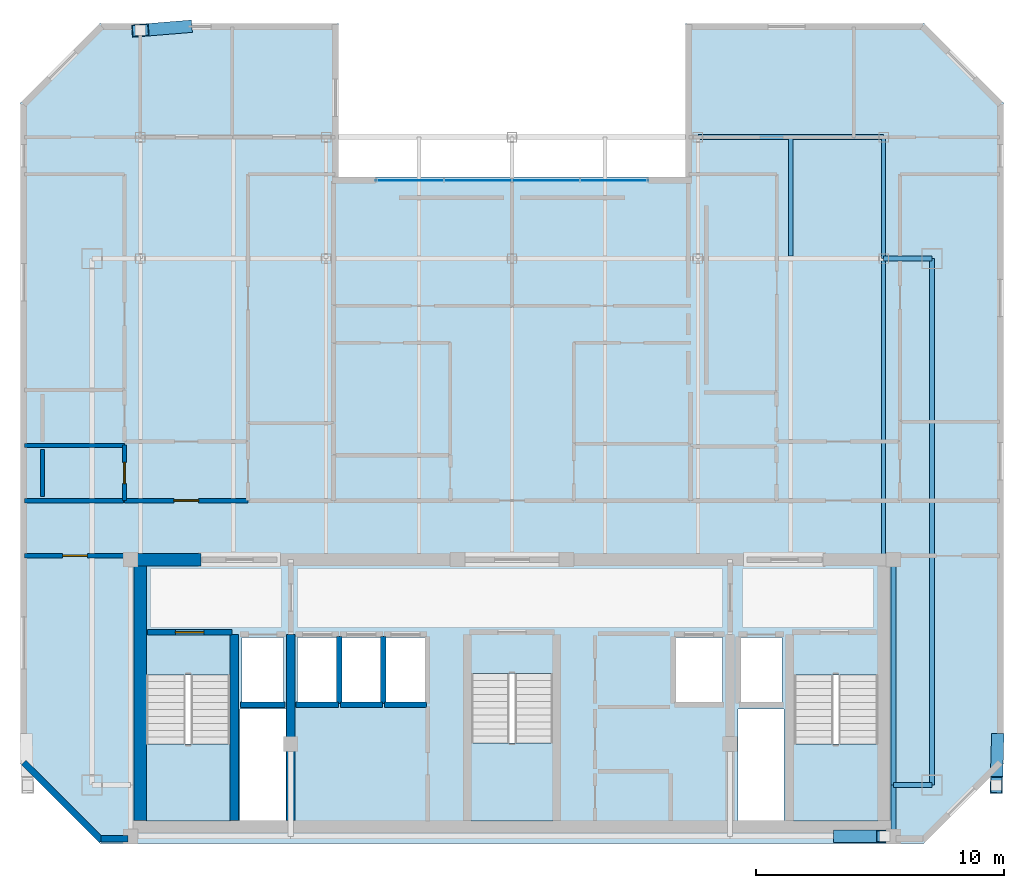
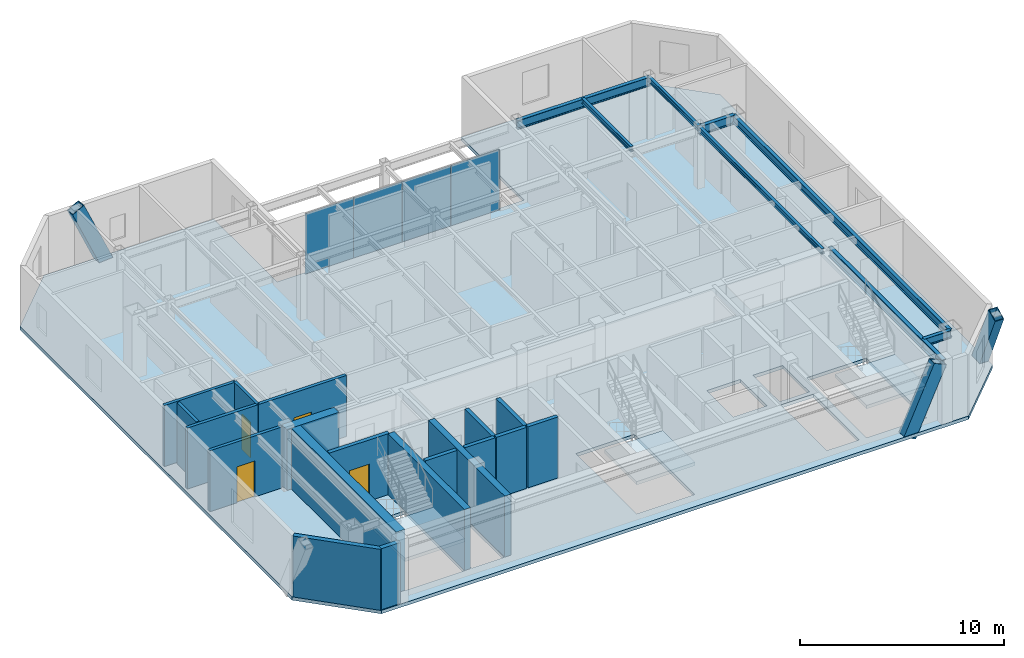
# One storey, part 5 of 10: 19 walls, 9 beams, 4 doors, 4 plates, 4 slabs, 3 members, 4 openings, 4 elements without a shape of their own.
"""IFC4 building model written with IfcOpenShell, lengths in metres."""

from ifc_helpers import new_model, si_unit, direction, frame, frame_2d, origin, origin_2d, place, context, subcontext, project, spatial, polyline, rectangle, hollow_rectangle, i_section, outline, extrude, material, layer, layer_set, material_profile, profile_set, type_object, element, fill, aggregate, save


model = new_model("IFC4")

# Units and contexts
model_context = context("Model", 3, precision=1e-05, world=origin(), true_north=direction((0.0, 1.0)))
body_context = subcontext(model_context, "Body", "Model", "MODEL_VIEW")
ifc_project = project(units=[si_unit("LENGTHUNIT", "METRE"), si_unit("AREAUNIT", "SQUARE_METRE"), si_unit("VOLUMEUNIT", "CUBIC_METRE"), si_unit("PLANEANGLEUNIT", "RADIAN"), si_unit("MASSUNIT", "GRAM", prefix="KILO")], contexts=[model_context])

# Site, building, storey
site_placement = place(None, origin())
site = spatial("IfcSite", under=ifc_project, at=site_placement, CompositionType="ELEMENT")
building_placement = place(site_placement, origin())
building = spatial("IfcBuilding", under=site, at=building_placement, Name="Ventersveld Concourse Tower", CompositionType="ELEMENT")
storey_placement = place(building_placement, frame((0.0, 0.0, 313.050048828125)))
storey = spatial("IfcBuildingStorey", under=building, at=storey_placement, Name="L77", CompositionType="ELEMENT", Elevation=313.050048828125)

# Beams
ifc_material_1 = material(Name="Structural steel S355J2", Category="steel")
ifc_material_profile_1 = material_profile(ifc_material_1, i_section(OverallWidth=0.1650390625, OverallDepth=0.303466796875, WebThickness=0.006103515625, FlangeThickness=0.01025390625, FilletRadius=0.0087890625, at=origin_2d()), Name="UB 305x165x40")
ifc_profile_set_1 = profile_set([ifc_material_profile_1], Name="Structural steel S355J2")
beam_type_1 = type_object("IfcBeamType", Name="BM-UB305", PredefinedType="BEAM", material=ifc_profile_set_1)
beam_1_placement = place(storey_placement, frame((40.0, 23.695068359375, 3.498291015625), z_axis=(0.0, 1.0, 0.0), x_axis=(-1.0, 0.0, 0.0)))
element("IfcBeam", 1, at=beam_1_placement, inside=storey, type_object=beam_type_1, Name="L77 N-S Upper-Zone Floor Beam X=40.00", PredefinedType="BEAM", context=body_context, shape_type="SweptSolid", body=[
    extrude(i_section(OverallWidth=0.1650390625, OverallDepth=0.303466796875, WebThickness=0.006103515625, FlangeThickness=0.01025390625, FilletRadius=0.0087890625, at=origin_2d()), origin(), (0.0, 0.0, 1.0), 4.804931640625),
])
beam_2_placement = place(storey_placement, frame((43.75, 11.449951171875, 3.498291015625), z_axis=(0.0, 1.0, 0.0), x_axis=(-1.0, 0.0, 0.0)))
element("IfcBeam", 2, at=beam_2_placement, inside=storey, type_object=beam_type_1, Name="L77 N-S Composite Floor Beam South X=43.75", PredefinedType="BEAM", context=body_context, shape_type="SweptSolid", body=[
    extrude(i_section(OverallWidth=0.1650390625, OverallDepth=0.303466796875, WebThickness=0.006103515625, FlangeThickness=0.01025390625, FilletRadius=0.0087890625, at=origin_2d()), origin(), (0.0, 0.0, 1.0), 12.150146484375),
])
beam_3_placement = place(storey_placement, frame((43.75, 23.60009765625, 3.498291015625), z_axis=(0.0, 1.0, 0.0), x_axis=(-1.0, 0.0, 0.0)))
element("IfcBeam", 3, at=beam_3_placement, inside=storey, type_object=beam_type_1, Name="L77 N-S Upper-Zone Floor Beam X=43.75", PredefinedType="BEAM", context=body_context, shape_type="SweptSolid", body=[
    extrude(i_section(OverallWidth=0.1650390625, OverallDepth=0.303466796875, WebThickness=0.006103515625, FlangeThickness=0.01025390625, FilletRadius=0.0087890625, at=origin_2d()), origin(), (0.0, 0.0, 1.0), 4.89990234375),
])
ifc_material_profile_2 = material_profile(ifc_material_1, i_section(OverallWidth=0.209228515625, OverallDepth=0.533203125, WebThickness=0.010009765625, FlangeThickness=0.015625, FilletRadius=0.0126953125, at=origin_2d()), Name="UB 533x210x92")
ifc_profile_set_2 = profile_set([ifc_material_profile_2], Name="Structural steel S355J2")
beam_type_2 = type_object("IfcBeamType", Name="GRD-UB533", PredefinedType="T_BEAM", material=ifc_profile_set_2)
beam_4_placement = place(storey_placement, frame((43.75, 23.60009765625, 3.38330078125), z_axis=(1.0, 0.0, 0.0), x_axis=(0.0, 1.0, 0.0)))
element("IfcBeam", 4, at=beam_4_placement, inside=storey, type_object=beam_type_2, Name="L77 Primary E-W Grid Girder Y=23.60 #6", PredefinedType="T_BEAM", context=body_context, shape_type="SweptSolid", body=[
    extrude(i_section(OverallWidth=0.209228515625, OverallDepth=0.533203125, WebThickness=0.010009765625, FlangeThickness=0.015625, FilletRadius=0.0126953125, at=origin_2d()), origin(), (0.0, 0.0, 1.0), 1.949951171875),
])
beam_5_placement = place(storey_placement, frame((36.25, 28.5, 3.38330078125), z_axis=(1.0, 0.0, 0.0), x_axis=(0.0, 1.0, 0.0)))
element("IfcBeam", 5, at=beam_5_placement, inside=storey, type_object=beam_type_2, Name="L77 Upper-North E-W Girder Y=28.50 #4", PredefinedType="T_BEAM", context=body_context, shape_type="SweptSolid", body=[
    extrude(i_section(OverallWidth=0.209228515625, OverallDepth=0.533203125, WebThickness=0.010009765625, FlangeThickness=0.015625, FilletRadius=0.0126953125, at=origin_2d()), origin(), (0.0, 0.0, 1.0), 7.5),
])
ifc_material_profile_3 = material_profile(ifc_material_1, i_section(OverallWidth=0.2119140625, OverallDepth=0.54443359375, WebThickness=0.0126953125, FlangeThickness=0.021240234375, FilletRadius=0.0126953125, at=origin_2d()), Name="UB 533x210x122")
ifc_profile_set_3 = profile_set([ifc_material_profile_3], Name="Structural steel S355J2")
beam_type_3 = type_object("IfcBeamType", Name="GRD-UB533H", PredefinedType="T_BEAM", material=ifc_profile_set_3)
beam_6_placement = place(storey_placement, frame((44.14990234375, 0.280029296875, 3.377685546875), z_axis=(0.0, 1.0, 0.0), x_axis=(-1.0, 0.0, 0.0)))
element("IfcBeam", 6, at=beam_6_placement, inside=storey, type_object=beam_type_3, Name="L77 Core East Tie Beam S", PredefinedType="T_BEAM", context=body_context, shape_type="SweptSolid", body=[
    extrude(i_section(OverallWidth=0.2119140625, OverallDepth=0.54443359375, WebThickness=0.0126953125, FlangeThickness=0.021240234375, FilletRadius=0.0126953125, at=origin_2d()), origin(), (0.0, 0.0, 1.0), 2.070068359375),
])
beam_7_placement = place(storey_placement, frame((44.14990234375, 2.35009765625, 3.377685546875), z_axis=(0.0, 1.0, 0.0), x_axis=(-1.0, 0.0, 0.0)))
element("IfcBeam", 7, at=beam_7_placement, inside=storey, type_object=beam_type_3, Name="L77 Core East Tie Beam N", PredefinedType="T_BEAM", context=body_context, shape_type="SweptSolid", body=[
    extrude(i_section(OverallWidth=0.2119140625, OverallDepth=0.54443359375, WebThickness=0.0126953125, FlangeThickness=0.021240234375, FilletRadius=0.0126953125, at=origin_2d()), origin(), (0.0, 0.0, 1.0), 9.099853515625),
])

# Members
ifc_material_2 = material(Name="Structural steel S355ML", Category="steel")
ifc_material_profile_4 = material_profile(ifc_material_2, hollow_rectangle(XDim=0.5, YDim=0.75, WallThickness=0.034912109375, at=origin_2d()), Name="BOX 750x500x35")
ifc_profile_set_4 = profile_set([ifc_material_profile_4], Name="Structural steel S355ML")
member_type = type_object("IfcMemberType", Name="MB-750x500", PredefinedType="BRACE", material=ifc_profile_set_4)
member_1_placement = place(storey_placement, frame((15.489501953125, 32.95068359375, -0.199951171875), z_axis=(-0.411519584117, -0.033845680883, 0.910772255711), x_axis=(0.081968848657, -0.996634891949, 0.0)))
element("IfcMember", 8, at=member_1_placement, inside=storey, type_object=member_type, Name="L77 Exterior Mega-Brace N (Module M18)", PredefinedType="BRACE", context=body_context, shape_type="SweptSolid", body=[
    extrude(hollow_rectangle(XDim=0.5, YDim=0.75, WallThickness=0.034912109375, at=origin_2d()), origin(), (0.0, 0.0, 1.0), 4.22705078125),
])
member_2_placement = place(storey_placement, frame((42.060546875, 0.280029296875, -0.199951171875), z_axis=(0.411755490853, 0.0, 0.911294362844), x_axis=(0.0, 1.0, 0.0)))
element("IfcMember", 9, at=member_2_placement, inside=storey, type_object=member_type, Name="L77 Exterior Mega-Brace S (Module M18)", PredefinedType="BRACE", context=body_context, shape_type="SweptSolid", body=[
    extrude(hollow_rectangle(XDim=0.5, YDim=0.75, WallThickness=0.034912109375, at=origin_2d()), origin(), (0.0, 0.0, 1.0), 4.224609375),
])
member_3_placement = place(storey_placement, frame((48.34765625, 4.089599609375, -0.199951171875), z_axis=(-0.011730612407, -0.411727159605, 0.911231660324), x_axis=(0.999594371896, -0.028479671227, 0.0)))
element("IfcMember", 10, at=member_3_placement, inside=storey, type_object=member_type, Name="L77 Exterior Mega-Brace E (Module M18)", PredefinedType="BRACE", context=body_context, shape_type="SweptSolid", body=[
    extrude(hollow_rectangle(XDim=0.5, YDim=0.75, WallThickness=0.034912109375, at=origin_2d()), origin(), (0.0, 0.0, 1.0), 4.224853515625),
])

# Beams
ifc_material_profile_5 = material_profile(ifc_material_1, i_section(OverallWidth=0.19140625, OverallDepth=0.4599609375, WebThickness=0.010009765625, FlangeThickness=0.01611328125, FilletRadius=0.01025390625, at=origin_2d()), Name="UB 457x191x82")
ifc_profile_set_5 = profile_set([ifc_material_profile_5], Name="Structural steel S355J2")
beam_type_4 = type_object("IfcBeamType", Name="SPD-UB457", PredefinedType="SPANDREL", material=ifc_profile_set_5)
beam_8_placement = place(storey_placement, frame((44.14990234375, 2.35009765625, 3.419921875), z_axis=(1.0, 0.0, 0.0), x_axis=(0.0, 1.0, 0.0)))
element("IfcBeam", 11, at=beam_8_placement, inside=storey, type_object=beam_type_4, Name="L77 SE Spandrel Beam", PredefinedType="SPANDREL", context=body_context, shape_type="SweptSolid", body=[
    extrude(i_section(OverallWidth=0.19140625, OverallDepth=0.4599609375, WebThickness=0.010009765625, FlangeThickness=0.01611328125, FilletRadius=0.01025390625, at=origin_2d()), origin(), (0.0, 0.0, 1.0), 1.550048828125),
])
beam_9_placement = place(storey_placement, frame((45.699951171875, 2.35009765625, 3.419921875), z_axis=(0.0, 1.0, 0.0), x_axis=(-1.0, 0.0, 0.0)))
element("IfcBeam", 12, at=beam_9_placement, inside=storey, type_object=beam_type_4, Name="L77 East Spandrel Beam", PredefinedType="SPANDREL", context=body_context, shape_type="SweptSolid", body=[
    extrude(i_section(OverallWidth=0.19140625, OverallDepth=0.4599609375, WebThickness=0.010009765625, FlangeThickness=0.01611328125, FilletRadius=0.01025390625, at=origin_2d()), origin(), (0.0, 0.0, 1.0), 21.25),
])

# Curtain wall, plates
ifc_material_3 = material(Name="Anodised aluminium EN AW-6063-T6", Category="aluminium")
curtain_wall_type = type_object("IfcCurtainWallType", Name="CW-SG-4", PredefinedType="NOTDEFINED", material=ifc_material_3)
curtain_wall_placement = place(storey_placement, origin())
curtain_wall = element("IfcCurtainWall", 13, at=curtain_wall_placement, inside=storey, type_object=curtain_wall_type, Name="L77 L77 Sky Garden Recessed Curtain Wall", PredefinedType="NOTDEFINED")
ifc_material_4 = material(Name="Low-E double glazing IGU", Category="glass")
ifc_layer_1 = layer(ifc_material_4, 0.02392578125)
ifc_layer_set_1 = layer_set([ifc_layer_1], Name="Low-E double glazing IGU")
plate_type = type_object("IfcPlateType", Name="CWP-GLZ-24", PredefinedType="CURTAIN_PANEL", material=ifc_layer_set_1)
plate_1_placement = place(storey_placement, frame((24.625, 26.757568359375, 0.02001953125), z_axis=(0.0, 0.0, 1.0), x_axis=(1.0, 0.0, 0.0)))
plate_1 = element("IfcPlate", 14, at=plate_1_placement, type_object=plate_type, Name="CW-L77-SG Glazed Panel 01-1", PredefinedType="CURTAIN_PANEL", context=body_context, shape_type="SweptSolid", body=[
    extrude(rectangle(XDim=2.739990234375, YDim=0.02392578125, at=origin_2d()), origin(), (0.0, 0.0, 1.0), 3.610107421875),
])
plate_2_placement = place(storey_placement, frame((27.375, 26.757568359375, 0.02001953125), z_axis=(0.0, 0.0, 1.0), x_axis=(1.0, 0.0, 0.0)))
plate_2 = element("IfcPlate", 15, at=plate_2_placement, type_object=plate_type, Name="CW-L77-SG Glazed Panel 02-1", PredefinedType="CURTAIN_PANEL", context=body_context, shape_type="SweptSolid", body=[
    extrude(rectangle(XDim=2.739990234375, YDim=0.02392578125, at=origin_2d()), origin(), (0.0, 0.0, 1.0), 3.610107421875),
])
plate_3_placement = place(storey_placement, frame((30.125, 26.757568359375, 0.02001953125), z_axis=(0.0, 0.0, 1.0), x_axis=(1.0, 0.0, 0.0)))
plate_3 = element("IfcPlate", 16, at=plate_3_placement, type_object=plate_type, Name="CW-L77-SG Glazed Panel 03-1", PredefinedType="CURTAIN_PANEL", context=body_context, shape_type="SweptSolid", body=[
    extrude(rectangle(XDim=2.739990234375, YDim=0.02392578125, at=origin_2d()), origin(), (0.0, 0.0, 1.0), 3.610107421875),
])
plate_4_placement = place(storey_placement, frame((32.875, 26.757568359375, 0.02001953125), z_axis=(0.0, 0.0, 1.0), x_axis=(1.0, 0.0, 0.0)))
plate_4 = element("IfcPlate", 17, at=plate_4_placement, type_object=plate_type, Name="CW-L77-SG Glazed Panel 04-1", PredefinedType="CURTAIN_PANEL", context=body_context, shape_type="SweptSolid", body=[
    extrude(rectangle(XDim=2.739990234375, YDim=0.02392578125, at=origin_2d()), origin(), (0.0, 0.0, 1.0), 3.610107421875),
])
aggregate(curtain_wall, [plate_1, plate_2, plate_3, plate_4])

# Slab
ifc_material_5 = material(Name="Concrete C50/60", Category="concrete")
ifc_layer_2 = layer(ifc_material_5, 0.199951171875)
ifc_layer_set_2 = layer_set([ifc_layer_2], Name="Concrete C50/60")
slab_type_1 = type_object("IfcSlabType", Name="SL-FLR-200", PredefinedType="FLOOR", material=ifc_layer_set_2)
slab_1_placement = place(storey_placement, frame((0.0, 0.0, -0.199951171875)))
element("IfcSlab", 18, at=slab_1_placement, inside=storey, type_object=slab_type_1, Name="L77 Composite Floor Slab", PredefinedType="FLOOR", context=body_context, shape_type="SweptSolid", body=[
    extrude(outline(polyline([(12.121826171875, 0.0), (45.378173828125, 0.0), (48.578125, 3.199951171875), (48.578125, 29.887451171875), (45.378173828125, 33.08740234375), (35.75, 33.08740234375), (35.75, 26.887451171875), (21.75, 26.887451171875), (21.75, 33.08740234375), (12.121826171875, 33.08740234375), (8.921875, 29.887451171875), (8.921875, 3.199951171875), (12.121826171875, 0.0)]), holes=[polyline([(13.97998046875, 6.794921875), (13.97998046875, 0.89990234375), (17.3798828125, 0.89990234375), (17.3798828125, 6.794921875), (13.97998046875, 6.794921875)]), polyline([(40.1201171875, 6.794921875), (40.1201171875, 0.89990234375), (43.52001953125, 0.89990234375), (43.52001953125, 6.794921875), (40.1201171875, 6.794921875)]), polyline([(27.10009765625, 6.844970703125), (27.10009765625, 0.89990234375), (30.39990234375, 0.89990234375), (30.39990234375, 6.844970703125), (27.10009765625, 6.844970703125)]), polyline([(17.85009765625, 5.699951171875), (19.530029296875, 5.699951171875), (19.530029296875, 8.300048828125), (17.85009765625, 8.300048828125), (17.85009765625, 5.699951171875)]), polyline([(37.969970703125, 5.699951171875), (39.64990234375, 5.699951171875), (39.64990234375, 8.300048828125), (37.969970703125, 8.300048828125), (37.969970703125, 5.699951171875)]), polyline([(35.35009765625, 5.699951171875), (37.25, 5.699951171875), (37.25, 8.300048828125), (35.35009765625, 8.300048828125), (35.35009765625, 5.699951171875)]), polyline([(20.090087890625, 5.699951171875), (21.68994140625, 5.699951171875), (21.68994140625, 8.300048828125), (20.090087890625, 8.300048828125), (20.090087890625, 5.699951171875)]), polyline([(21.8701171875, 5.699951171875), (23.469970703125, 5.699951171875), (23.469970703125, 8.300048828125), (21.8701171875, 8.300048828125), (21.8701171875, 5.699951171875)]), polyline([(23.64990234375, 5.699951171875), (25.25, 5.699951171875), (25.25, 8.300048828125), (23.64990234375, 8.300048828125), (23.64990234375, 5.699951171875)]), polyline([(17.780029296875, 0.919921875), (19.6201171875, 0.919921875), (19.6201171875, 5.419921875), (17.780029296875, 5.419921875), (17.780029296875, 0.919921875)]), polyline([(37.8798828125, 0.919921875), (39.719970703125, 0.919921875), (39.719970703125, 5.419921875), (37.8798828125, 5.419921875), (37.8798828125, 0.919921875)])]), origin(), (0.0, 0.0, 1.0), 0.199951171875),
])

# Stair, slab
stair_type_1 = type_object("IfcStairType", Name="ST-DOG-160", PredefinedType="HALF_TURN_STAIR", material=ifc_material_5)
stair_1_placement = place(storey_placement, origin())
stair_1 = element("IfcStair", 19, at=stair_1_placement, inside=storey, type_object=stair_type_1, Name="L77 Protected Tower Escape Stair ST-01", PredefinedType="HALF_TURN_STAIR")
ifc_layer_3 = layer(ifc_material_5, 0.199951171875)
ifc_layer_set_3 = layer_set([ifc_layer_3], Name="Concrete C50/60")
slab_type_2 = type_object("IfcSlabType", Name="SL-LND-200", PredefinedType="LANDING", material=ifc_layer_set_3)
slab_2_placement = place(storey_placement, frame((0.0, 0.0, 1.724853515625)))
slab_2 = element("IfcSlab", 20, at=slab_2_placement, type_object=slab_type_2, Name="ST-01 landing 1", PredefinedType="LANDING", context=body_context, shape_type="SweptSolid", body=[
    extrude(outline(polyline([(13.97998046875, 4.0), (13.97998046875, 0.89990234375), (17.3798828125, 0.89990234375), (17.3798828125, 4.0), (13.97998046875, 4.0)])), origin(), (0.0, 0.0, 1.0), 0.2001953125),
])
aggregate(stair_1, [slab_2])

stair_2_placement = place(storey_placement, origin())
stair_2 = element("IfcStair", 21, at=stair_2_placement, inside=storey, type_object=stair_type_1, Name="L77 Protected Tower Escape Stair ST-02", PredefinedType="HALF_TURN_STAIR")
slab_3_placement = place(storey_placement, frame((0.0, 0.0, 1.724853515625)))
slab_3 = element("IfcSlab", 22, at=slab_3_placement, type_object=slab_type_2, Name="ST-02 landing 1", PredefinedType="LANDING", context=body_context, shape_type="SweptSolid", body=[
    extrude(outline(polyline([(40.1201171875, 4.0), (40.1201171875, 0.89990234375), (43.52001953125, 0.89990234375), (43.52001953125, 4.0), (40.1201171875, 4.0)])), origin(), (0.0, 0.0, 1.0), 0.2001953125),
])
aggregate(stair_2, [slab_3])

stair_type_2 = type_object("IfcStairType", Name="ST-DOG-155", PredefinedType="HALF_TURN_STAIR", material=ifc_material_5)
stair_3_placement = place(storey_placement, origin())
stair_3 = element("IfcStair", 23, at=stair_3_placement, inside=storey, type_object=stair_type_2, Name="L77 Protected Central Core Escape Stair ST-03", PredefinedType="HALF_TURN_STAIR")
slab_4_placement = place(storey_placement, frame((0.0, 0.0, 1.724853515625)))
slab_4 = element("IfcSlab", 24, at=slab_4_placement, type_object=slab_type_2, Name="ST-03 landing 1", PredefinedType="LANDING", context=body_context, shape_type="SweptSolid", body=[
    extrude(outline(polyline([(27.10009765625, 4.050048828125), (27.10009765625, 0.89990234375), (30.39990234375, 0.89990234375), (30.39990234375, 4.050048828125), (27.10009765625, 4.050048828125)])), origin(), (0.0, 0.0, 1.0), 0.2001953125),
])
aggregate(stair_3, [slab_4])

# Walls
ifc_layer_4 = layer(ifc_material_5, 0.35009765625)
ifc_layer_set_4 = layer_set([ifc_layer_4], Name="Concrete C50/60")
wall_type_1 = type_object("IfcWallType", Name="WL-CORE-350U", PredefinedType="SHEAR", material=ifc_layer_set_4)
for number, where, z_axis, x_axis, name in (
    (25, (17.5400390625, 0.919921875, 0.0), (0.0, 0.0, 1.0), (0.0, 1.0, 0.0), "L77 Core Internal Shear Web W-ST1-E"),
    (26, (19.820068359375, 0.919921875, 0.0), (0.0, 0.0, 1.0), (0.0, 1.0, 0.0), "L77 Core Internal Shear Web W-FF1-E"),
):
    element("IfcWall", number, at=place(storey_placement, frame(where, z_axis=z_axis, x_axis=x_axis)), inside=storey, type_object=wall_type_1, Name=name, PredefinedType="SHEAR", context=body_context, shape_type="SweptSolid", body=[
        extrude(rectangle(XDim=7.5, YDim=0.35009765625, at=frame_2d((3.75, 0.0))), origin(), (0.0, 0.0, 1.0), 3.64990234375),
    ])
ifc_layer_5 = layer(ifc_material_5, 0.5)
ifc_layer_set_5 = layer_set([ifc_layer_5], Name="Concrete C50/60")
wall_type_2 = type_object("IfcWallType", Name="WL-CORE-500", PredefinedType="SHEAR", material=ifc_layer_set_5)
wall_1_placement = place(storey_placement, frame((13.75, 0.919921875, 0.0), z_axis=(0.0, 0.0, 1.0), x_axis=(0.0, 1.0, 0.0)))
element("IfcWall", 27, at=wall_1_placement, inside=storey, type_object=wall_type_2, Name="L77 Rear Core West Shear Wall", PredefinedType="SHEAR", context=body_context, shape_type="SweptSolid", body=[
    extrude(rectangle(XDim=10.530029296875, YDim=0.5, at=frame_2d((5.26513671875, 0.0))), origin(), (0.0, 0.0, 1.0), 3.64990234375),
])
wall_2_placement = place(storey_placement, frame((13.25, 11.449951171875, 0.0), z_axis=(0.0, 0.0, 1.0), x_axis=(1.0, 0.0, 0.0)))
element("IfcWall", 28, at=wall_2_placement, inside=storey, type_object=wall_type_2, Name="L77 Rear Core North Shear Wall NW", PredefinedType="SHEAR", context=body_context, shape_type="SweptSolid", body=[
    extrude(rectangle(XDim=2.949951171875, YDim=0.5, at=frame_2d((1.47509765625, 0.0))), origin(), (0.0, 0.0, 1.0), 3.64990234375),
])

# Wall, opening, door
ifc_material_6 = material(Name="Fire-rated autoclaved aerated masonry blockwork", Category="masonry")
ifc_layer_6 = layer(ifc_material_6, 0.179931640625)
ifc_layer_set_6 = layer_set([ifc_layer_6], Name="Fire-rated autoclaved aerated masonry blockwork")
wall_type_3 = type_object("IfcWallType", Name="WL-CORR-180", PredefinedType="PARTITIONING", material=ifc_layer_set_6)
wall_3_placement = place(storey_placement, frame((9.0712890625, 11.60009765625, 0.0), z_axis=(0.0, 0.0, 1.0), x_axis=(1.0, 0.0, 0.0)))
wall_3 = element("IfcWall", 29, at=wall_3_placement, inside=storey, type_object=wall_type_3, Name="L77 Interior Partition SP-L77-SW-GAL-SP-L77-COR", PredefinedType="PARTITIONING", context=body_context, shape_type="SweptSolid", body=[
    extrude(rectangle(XDim=4.07373046875, YDim=0.179931640625, at=frame_2d((2.036865234375, 0.0))), origin(), (0.0, 0.0, 1.0), 3.64990234375),
])
opening_1_placement = place(wall_3_placement, frame((1.536865234375, 0.0, 0.0)))
opening_1 = element("IfcOpeningElement", 30, at=opening_1_placement, cuts=wall_3, Name="Opening FD3", PredefinedType="OPENING", context=body_context, shape_type="SweptSolid", body=[
    extrude(rectangle(XDim=1.0, YDim=2.14990234375, at=frame_2d((0.5, 1.074951171875))), frame((0.0, 0.10009765625, 0.0), z_axis=(0.0, -1.0, 0.0), x_axis=(1.0, 0.0, 0.0)), (0.0, 0.0, 1.0), 0.199951171875),
])
ifc_material_7 = material(Name="Solid-core hardwood veneer timber", Category="wood")
door_type_1 = type_object("IfcDoorType", Name="DR-FLAT-100", OperationType="NOTDEFINED", PredefinedType="DOOR", material=ifc_material_7)
door_1_placement = place(opening_1_placement, origin())
door_1 = element("IfcDoor", 31, at=door_1_placement, inside=storey, type_object=door_type_1, Name="L77 Interior Door SP-L77-SW-GAL to SP-L77-COR (D-L77-3525)", OperationType="SINGLE_SWING_LEFT", OverallHeight=2.14990234375, OverallWidth=1.0, PredefinedType="DOOR", context=body_context, shape_type="SweptSolid", body=[
    extrude(rectangle(XDim=1.0, YDim=2.14990234375, at=frame_2d((0.5, 1.074951171875))), frame((0.0, 0.02490234375, 0.0), z_axis=(0.0, -1.0, 0.0), x_axis=(1.0, 0.0, 0.0)), (0.0, 0.0, 1.0), 0.050048828125),
])
fill(opening_1, door_1)

wall_4_placement = place(storey_placement, frame((13.106689453125, 13.830078125, 0.0), z_axis=(0.0, 0.0, 1.0), x_axis=(1.0, 0.0, 0.0)))
wall_4 = element("IfcWall", 32, at=wall_4_placement, inside=storey, type_object=wall_type_3, Name="L77 Interior Partition SP-L77-COR-SP-L77-77CW-FOY", PredefinedType="PARTITIONING", context=body_context, shape_type="SweptSolid", body=[
    extrude(rectangle(XDim=4.989990234375, YDim=0.179931640625, at=frame_2d((2.4951171875, 0.0))), origin(), (0.0, 0.0, 1.0), 3.64990234375),
])
opening_2_placement = place(wall_4_placement, frame((1.9951171875, 0.0, 0.0)))
opening_2 = element("IfcOpeningElement", 33, at=opening_2_placement, cuts=wall_4, Name="Opening FD3", PredefinedType="OPENING", context=body_context, shape_type="SweptSolid", body=[
    extrude(rectangle(XDim=1.0, YDim=2.14990234375, at=frame_2d((0.5, 1.074951171875))), frame((0.0, 0.10009765625, 0.0), z_axis=(0.0, -1.0, 0.0), x_axis=(1.0, 0.0, 0.0)), (0.0, 0.0, 1.0), 0.199951171875),
])
door_2_placement = place(opening_2_placement, origin())
door_2 = element("IfcDoor", 34, at=door_2_placement, inside=storey, type_object=door_type_1, Name="L77 Interior Door SP-L77-COR to SP-L77-77CW-FOY (FD-L77-3527)", OperationType="SINGLE_SWING_LEFT", OverallHeight=2.14990234375, OverallWidth=1.0, PredefinedType="DOOR", context=body_context, shape_type="SweptSolid", body=[
    extrude(rectangle(XDim=1.0, YDim=2.14990234375, at=frame_2d((0.5, 1.074951171875))), frame((0.0, 0.02490234375, 0.0), z_axis=(0.0, -1.0, 0.0), x_axis=(1.0, 0.0, 0.0)), (0.0, 0.0, 1.0), 0.050048828125),
])
fill(opening_2, door_2)

# Walls
wall_5_placement = place(storey_placement, frame((9.0712890625, 13.830078125, 0.0), z_axis=(0.0, 0.0, 1.0), x_axis=(1.0, 0.0, 0.0)))
element("IfcWall", 35, at=wall_5_placement, inside=storey, type_object=wall_type_3, Name="L77 Interior Partition SP-L77-COR-SP-L77-77CW-BATH", PredefinedType="PARTITIONING", context=body_context, shape_type="SweptSolid", body=[
    extrude(rectangle(XDim=4.00537109375, YDim=0.179931640625, at=frame_2d((2.002685546875, 0.0))), origin(), (0.0, 0.0, 1.0), 3.64990234375),
])
ifc_layer_7 = layer(ifc_material_6, 0.219970703125)
ifc_layer_set_7 = layer_set([ifc_layer_7], Name="Fire-rated autoclaved aerated masonry blockwork")
wall_type_4 = type_object("IfcWallType", Name="WL-HOIST-220", PredefinedType="SOLIDWALL", material=ifc_layer_set_7)
wall_6_placement = place(storey_placement, frame((17.800048828125, 5.590087890625, 0.0), z_axis=(0.0, 0.0, 1.0), x_axis=(1.0, 0.0, 0.0)))
element("IfcWall", 36, at=wall_6_placement, inside=storey, type_object=wall_type_4, Name="L77 Lift Hoistway Back Wall FFL-01", PredefinedType="SOLIDWALL", context=body_context, shape_type="SweptSolid", body=[
    extrude(rectangle(XDim=1.780029296875, YDim=0.219970703125, at=frame_2d((0.89013671875, 0.0))), origin(), (0.0, 0.0, 1.0), 3.64990234375),
])
wall_7_placement = place(storey_placement, frame((20.0400390625, 5.590087890625, 0.0), z_axis=(0.0, 0.0, 1.0), x_axis=(1.0, 0.0, 0.0)))
element("IfcWall", 37, at=wall_7_placement, inside=storey, type_object=wall_type_4, Name="L77 Lift Hoistway Back Wall PH-01", PredefinedType="SOLIDWALL", context=body_context, shape_type="SweptSolid", body=[
    extrude(rectangle(XDim=1.699951171875, YDim=0.219970703125, at=frame_2d((0.85009765625, 0.0))), origin(), (0.0, 0.0, 1.0), 3.64990234375),
])
wall_8_placement = place(storey_placement, frame((21.780029296875, 5.64990234375, 0.0), z_axis=(0.0, 0.0, 1.0), x_axis=(0.0, 1.0, 0.0)))
element("IfcWall", 38, at=wall_8_placement, inside=storey, type_object=wall_type_4, Name="L77 Lift Hoistway Side Wall PH-01E", PredefinedType="SOLIDWALL", context=body_context, shape_type="SweptSolid", body=[
    extrude(rectangle(XDim=2.7001953125, YDim=0.219970703125, at=frame_2d((1.35009765625, 0.0))), origin(), (0.0, 0.0, 1.0), 3.64990234375),
])
wall_9_placement = place(storey_placement, frame((21.820068359375, 5.590087890625, 0.0), z_axis=(0.0, 0.0, 1.0), x_axis=(1.0, 0.0, 0.0)))
element("IfcWall", 39, at=wall_9_placement, inside=storey, type_object=wall_type_4, Name="L77 Lift Hoistway Back Wall PH-02", PredefinedType="SOLIDWALL", context=body_context, shape_type="SweptSolid", body=[
    extrude(rectangle(XDim=1.699951171875, YDim=0.219970703125, at=frame_2d((0.85009765625, 0.0))), origin(), (0.0, 0.0, 1.0), 3.64990234375),
])
wall_10_placement = place(storey_placement, frame((23.56005859375, 5.64990234375, 0.0), z_axis=(0.0, 0.0, 1.0), x_axis=(0.0, 1.0, 0.0)))
element("IfcWall", 40, at=wall_10_placement, inside=storey, type_object=wall_type_4, Name="L77 Lift Hoistway Side Wall PH-02E", PredefinedType="SOLIDWALL", context=body_context, shape_type="SweptSolid", body=[
    extrude(rectangle(XDim=2.7001953125, YDim=0.219970703125, at=frame_2d((1.35009765625, 0.0))), origin(), (0.0, 0.0, 1.0), 3.64990234375),
])
wall_11_placement = place(storey_placement, frame((23.60009765625, 5.590087890625, 0.0), z_axis=(0.0, 0.0, 1.0), x_axis=(1.0, 0.0, 0.0)))
element("IfcWall", 41, at=wall_11_placement, inside=storey, type_object=wall_type_4, Name="L77 Lift Hoistway Back Wall PH-03", PredefinedType="SOLIDWALL", context=body_context, shape_type="SweptSolid", body=[
    extrude(rectangle(XDim=1.699951171875, YDim=0.219970703125, at=frame_2d((0.85009765625, 0.0))), origin(), (0.0, 0.0, 1.0), 3.64990234375),
])

# Wall, opening, door
wall_12_placement = place(storey_placement, frame((14.0400390625, 8.52001953125, 0.0), z_axis=(0.0, 0.0, 1.0), x_axis=(1.0, 0.0, 0.0)))
wall_12 = element("IfcWall", 42, at=wall_12_placement, inside=storey, type_object=wall_type_4, Name="L77 Escape Stair ST01 Fire Wall", PredefinedType="SOLIDWALL", context=body_context, shape_type="SweptSolid", body=[
    extrude(rectangle(XDim=3.39990234375, YDim=0.219970703125, at=frame_2d((1.699951171875, 0.0))), origin(), (0.0, 0.0, 1.0), 3.64990234375),
])
opening_3_placement = place(wall_12_placement, frame((1.125, 0.0, 0.0)))
opening_3 = element("IfcOpeningElement", 43, at=opening_3_placement, cuts=wall_12, Name="Opening FD1", PredefinedType="OPENING", context=body_context, shape_type="SweptSolid", body=[
    extrude(rectangle(XDim=1.14990234375, YDim=2.199951171875, at=frame_2d((0.574951171875, 1.10009765625))), frame((0.0, 0.1201171875, 0.0), z_axis=(0.0, -1.0, 0.0), x_axis=(1.0, 0.0, 0.0)), (0.0, 0.0, 1.0), 0.239990234375),
])
ifc_material_8 = material(Name="Galvanised painted steel", Category="steel")
door_type_2 = type_object("IfcDoorType", Name="DR-STAIR-115", OperationType="NOTDEFINED", PredefinedType="DOOR", material=ifc_material_8)
door_3_placement = place(opening_3_placement, origin())
door_3 = element("IfcDoor", 44, at=door_3_placement, inside=storey, type_object=door_type_2, Name="L77 Escape Stair Door ST01 (SD-L77-3513)", OperationType="SINGLE_SWING_LEFT", OverallHeight=2.199951171875, OverallWidth=1.14990234375, PredefinedType="DOOR", context=body_context, shape_type="SweptSolid", body=[
    extrude(rectangle(XDim=1.14990234375, YDim=2.199951171875, at=frame_2d((0.574951171875, 1.10009765625))), frame((0.0, 0.02490234375, 0.0), z_axis=(0.0, -1.0, 0.0), x_axis=(1.0, 0.0, 0.0)), (0.0, 0.0, 1.0), 0.050048828125),
])
fill(opening_3, door_3)

# Walls
ifc_material_9 = material(Name="Precast concrete C45/55", Category="concrete")
ifc_layer_8 = layer(ifc_material_9, 0.260009765625)
ifc_layer_set_8 = layer_set([ifc_layer_8], Name="Precast concrete C45/55")
wall_type_5 = type_object("IfcWallType", Name="WL-PREC-260", PredefinedType="SOLIDWALL", material=ifc_layer_set_8)
wall_13_placement = place(storey_placement, frame((12.161865234375, 0.179931640625, 0.0), z_axis=(0.0, 0.0, 1.0), x_axis=(1.0, 0.0, 0.0)))
element("IfcWall", 45, at=wall_13_placement, inside=storey, type_object=wall_type_5, Name="L77 South-West Flank Precast Wall", PredefinedType="SOLIDWALL", context=body_context, shape_type="SweptSolid", body=[
    extrude(rectangle(XDim=1.088134765625, YDim=0.260009765625, at=frame_2d((0.5439453125, 0.0))), origin(), (0.0, 0.0, 1.0), 3.64990234375),
])
wall_14_placement = place(storey_placement, frame((9.0419921875, 3.263671875, 0.0), z_axis=(0.0, 0.0, 1.0), x_axis=(0.707106781187, -0.707106781187, 0.0)))
element("IfcWall", 46, at=wall_14_placement, inside=storey, type_object=wall_type_5, Name="L77 Highveld Precast Facade Wall E12", PredefinedType="SOLIDWALL", context=body_context, shape_type="SweptSolid", body=[
    extrude(rectangle(XDim=4.445556640625, YDim=0.260009765625, at=frame_2d((2.22265625, 0.0))), origin(), (0.0, 0.0, 1.0), 3.64990234375),
])

# Wall, opening, door
ifc_material_10 = material(Name="Autoclaved aerated masonry blockwork", Category="masonry")
ifc_layer_9 = layer(ifc_material_10, 0.1650390625)
ifc_layer_set_9 = layer_set([ifc_layer_9], Name="Autoclaved aerated masonry blockwork")
wall_type_6 = type_object("IfcWallType", Name="WL-WET-165", PredefinedType="PLUMBINGWALL", material=ifc_layer_set_9)
wall_15_placement = place(storey_placement, frame((13.11181640625, 13.824951171875, 0.0), z_axis=(0.0, 0.0, 1.0), x_axis=(0.0, 1.0, 0.0)))
wall_15 = element("IfcWall", 47, at=wall_15_placement, inside=storey, type_object=wall_type_6, Name="L77 Interior Partition SP-L77-77CW-FOY-SP-L77-77CW-BATH", PredefinedType="PLUMBINGWALL", context=body_context, shape_type="SweptSolid", body=[
    extrude(rectangle(XDim=2.23974609375, YDim=0.1650390625, at=frame_2d((1.119873046875, 0.0))), origin(), (0.0, 0.0, 1.0), 3.64990234375),
])
opening_4_placement = place(wall_15_placement, frame((0.69482421875, 0.0, 0.0)))
opening_4 = element("IfcOpeningElement", 48, at=opening_4_placement, cuts=wall_15, Name="Opening ID2", PredefinedType="OPENING", context=body_context, shape_type="SweptSolid", body=[
    extrude(rectangle(XDim=0.85009765625, YDim=2.10009765625, at=frame_2d((0.425048828125, 1.050048828125))), frame((0.0, 0.092529296875, 0.0), z_axis=(0.0, -1.0, 0.0), x_axis=(1.0, 0.0, 0.0)), (0.0, 0.0, 1.0), 0.18505859375),
])
door_type_3 = type_object("IfcDoorType", Name="DR-BATH-085", OperationType="NOTDEFINED", PredefinedType="DOOR", material=ifc_material_7)
door_4_placement = place(opening_4_placement, origin())
door_4 = element("IfcDoor", 49, at=door_4_placement, inside=storey, type_object=door_type_3, Name="L77 Interior Door SP-L77-77CW-FOY to SP-L77-77CW-BATH (D-L77-3531)", OperationType="SINGLE_SWING_LEFT", OverallHeight=2.10009765625, OverallWidth=0.85009765625, PredefinedType="DOOR", context=body_context, shape_type="SweptSolid", body=[
    extrude(rectangle(XDim=0.85009765625, YDim=2.10009765625, at=frame_2d((0.425048828125, 1.050048828125))), frame((0.0, 0.02490234375, 0.0), z_axis=(0.0, -1.0, 0.0), x_axis=(1.0, 0.0, 0.0)), (0.0, 0.0, 1.0), 0.050048828125),
])
fill(opening_4, door_4)

# Walls
wall_16_placement = place(storey_placement, frame((9.0712890625, 16.059814453125, 0.0), z_axis=(0.0, 0.0, 1.0), x_axis=(1.0, 0.0, 0.0)))
element("IfcWall", 50, at=wall_16_placement, inside=storey, type_object=wall_type_6, Name="L77 Interior Partition SP-L77-77CW-BATH-SP-L77-77CW-PWDL2", PredefinedType="PLUMBINGWALL", context=body_context, shape_type="SweptSolid", body=[
    extrude(rectangle(XDim=4.04541015625, YDim=0.1650390625, at=frame_2d((2.022705078125, 0.0))), origin(), (0.0, 0.0, 1.0), 3.64990234375),
])
wall_17_placement = place(storey_placement, frame((9.802001953125, 13.9951171875, 0.0), z_axis=(0.0, 0.0, 1.0), x_axis=(0.0, 1.0, 0.0)))
element("IfcWall", 51, at=wall_17_placement, inside=storey, type_object=wall_type_6, Name="L77 Room Enclosure Wall SP-L77-77CW-BATH", PredefinedType="PLUMBINGWALL", context=body_context, shape_type="SweptSolid", body=[
    extrude(rectangle(XDim=1.899658203125, YDim=0.1650390625, at=frame_2d((0.94970703125, 0.0))), origin(), (0.0, 0.0, 1.0), 3.64990234375),
])

save(model, "model.ifc")
